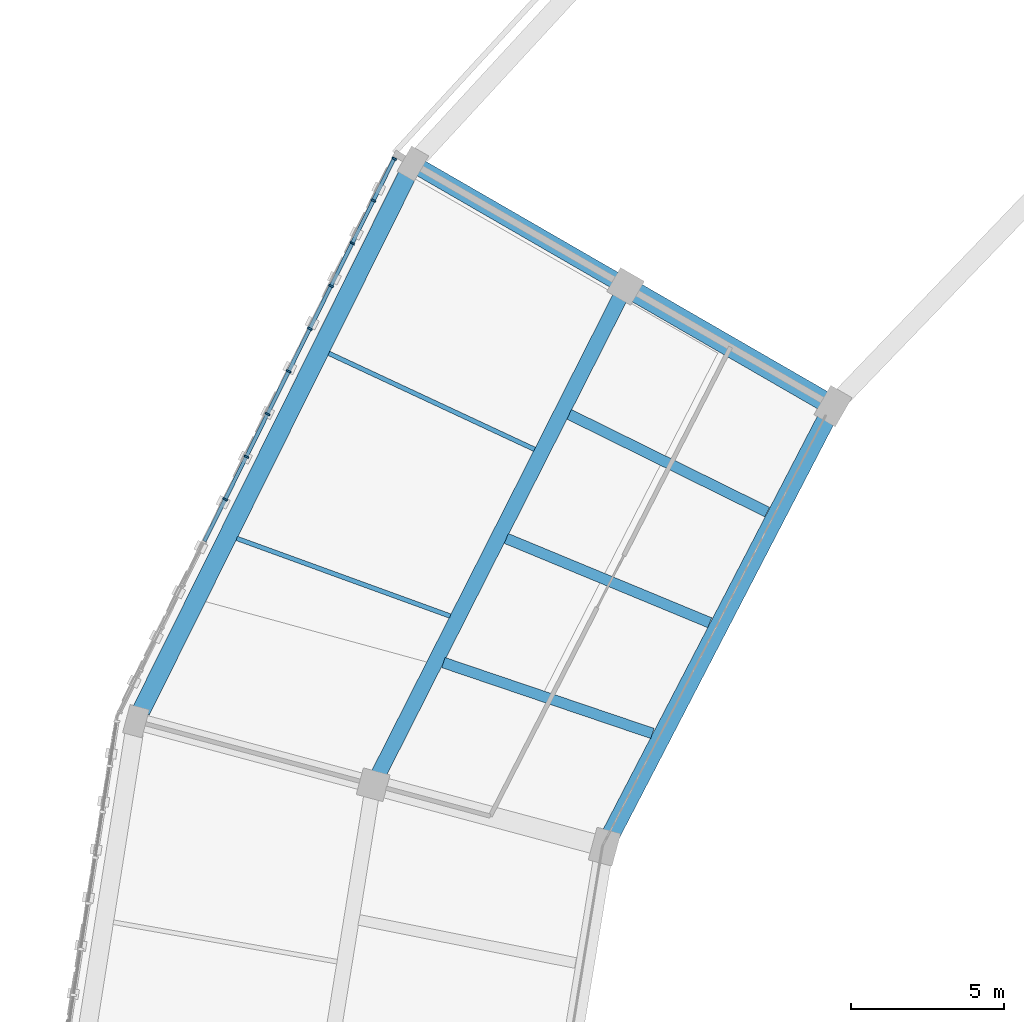
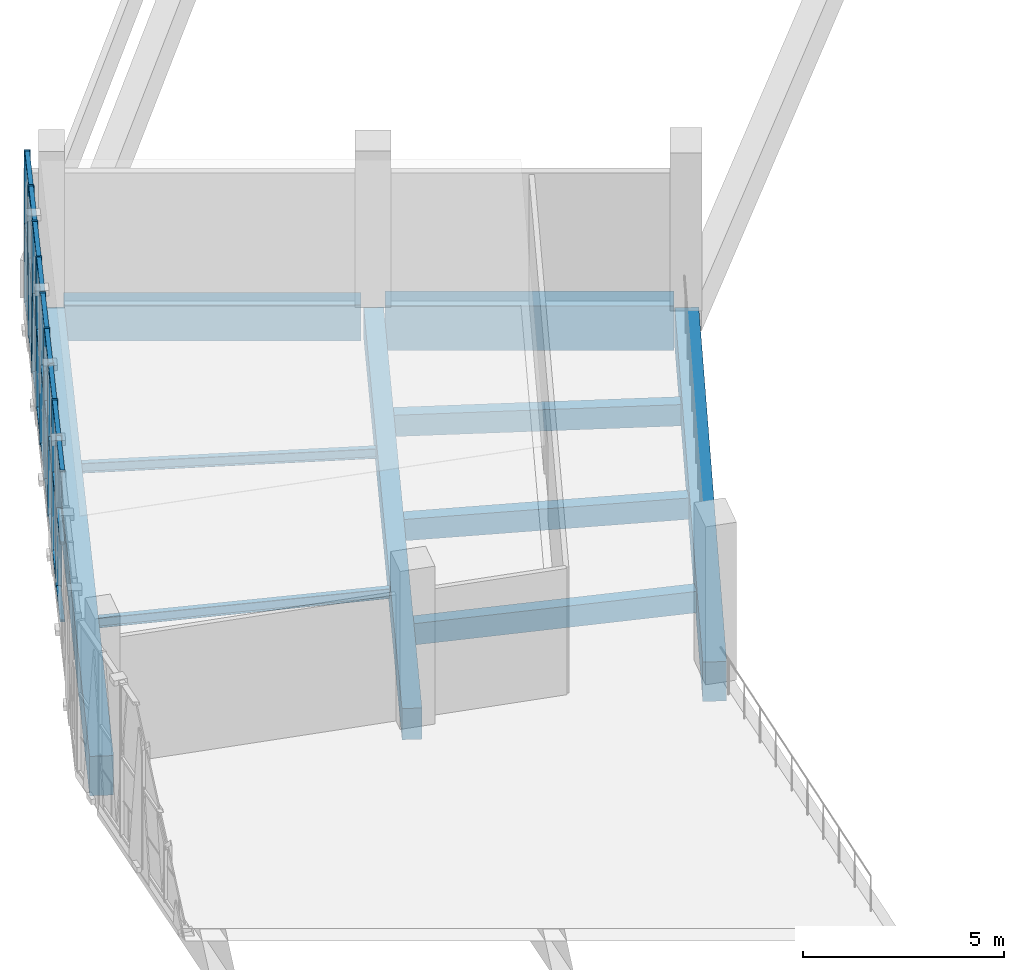
# One storey, part 14 of 64: 36 members, 10 beams, 1 element without a shape of its own.
"""IFC4 building model written with IfcOpenShell, lengths in metres."""

from ifc_helpers import new_model, si_unit, direction, frame, origin, origin_2d, place, context, subcontext, project, spatial, rectangle, i_section, extrude, material, material_profile, profile_set, type_object, element, aggregate, save


model = new_model("IFC4")

# Units and contexts
model_context = context("Model", 3, precision=1e-05, world=origin(), true_north=direction((0.0, 1.0)))
body_context = subcontext(model_context, "Body", "Model", "MODEL_VIEW")
ifc_project = project(units=[si_unit("LENGTHUNIT", "METRE"), si_unit("AREAUNIT", "SQUARE_METRE"), si_unit("VOLUMEUNIT", "CUBIC_METRE"), si_unit("PLANEANGLEUNIT", "RADIAN"), si_unit("MASSUNIT", "GRAM", prefix="KILO")], contexts=[model_context])

# Site, building, storey
site_placement = place(None, origin())
site = spatial("IfcSite", under=ifc_project, at=site_placement, CompositionType="ELEMENT")
building_placement = place(site_placement, origin())
building = spatial("IfcBuilding", under=site, at=building_placement, Name="Zevraka Park Crest Stadium", CompositionType="ELEMENT")
storey_placement = place(building_placement, frame((0.0, 0.0, 24.60009765625)))
storey = spatial("IfcBuildingStorey", under=building, at=storey_placement, Name="L05", CompositionType="ELEMENT", Elevation=24.60009765625)

# Beams
ifc_material_1 = material(Name="Concrete C40/50", Category="concrete")
ifc_material_profile_1 = material_profile(ifc_material_1, rectangle(XDim=0.64990234375, YDim=1.35009765625, at=origin_2d()), Name="RC 1350x650")
ifc_profile_set_1 = profile_set([ifc_material_profile_1], Name="Concrete C40/50")
beam_type_1 = type_object("IfcBeamType", Name="BG01", PredefinedType="BEAM", material=ifc_profile_set_1)
beam_1_placement = place(storey_placement, frame((47.220947265625, 121.89990234375, -0.68505859375), z_axis=(-0.866001485781, 0.500041424909, 0.0), x_axis=(-0.500041424909, -0.866001485781, 0.0)))
element("IfcBeam", 1, at=beam_1_placement, inside=storey, type_object=beam_type_1, Name="Radial Girder BG01 L05-BC-10", PredefinedType="BEAM", context=body_context, shape_type="SweptSolid", body=[
    extrude(rectangle(XDim=0.64990234375, YDim=1.35009765625, at=origin_2d()), origin(), (0.0, 0.0, 1.0), 7.19970703125),
])
ifc_material_2 = material(Name="Concrete C40/50", Category="concrete")
ifc_material_profile_2 = material_profile(ifc_material_2, rectangle(XDim=0.550048828125, YDim=1.10009765625, at=origin_2d()), Name="RC 1100x550")
ifc_profile_set_2 = profile_set([ifc_material_profile_2], Name="Concrete C40/50")
beam_type_2 = type_object("IfcBeamType", Name="BG02", PredefinedType="BEAM", material=ifc_profile_set_2)
beam_2_placement = place(storey_placement, frame((40.466064453125, 125.800048828125, -0.56005859375), z_axis=(-0.86600700885, 0.500031859608, 0.0), x_axis=(-0.500031859608, -0.86600700885, 0.0)))
element("IfcBeam", 2, at=beam_2_placement, inside=storey, type_object=beam_type_2, Name="Radial Girder BG02 L05-CD-10", PredefinedType="BEAM", context=body_context, shape_type="SweptSolid", body=[
    extrude(rectangle(XDim=0.550048828125, YDim=1.10009765625, at=origin_2d()), origin(), (0.0, 0.0, 1.0), 7.3994140625),
])

# Curtain wall, members
ifc_material_3 = material(Name="Anodised architectural aluminium and laminated safety glass", Category="aluminium")
curtain_wall_type = type_object("IfcCurtainWallType", Name="CW22", PredefinedType="NOTDEFINED", material=ifc_material_3)
curtain_wall_placement = place(storey_placement, origin())
curtain_wall = element("IfcCurtainWall", 3, at=curtain_wall_placement, inside=storey, type_object=curtain_wall_type, Name="Unitised Ring Curtain Wall CW22 L05-10", PredefinedType="NOTDEFINED")
ifc_material_4 = material(Name="Anodised architectural aluminium", Category="aluminium")
ifc_material_profile_3 = material_profile(ifc_material_4, rectangle(XDim=0.159912109375, YDim=0.06005859375, at=origin_2d()), Name="ALU MULLION 160x60")
ifc_profile_set_3 = profile_set([ifc_material_profile_3], Name="Anodised architectural aluminium")
member_type_1 = type_object("IfcMemberType", Name="CM01", PredefinedType="MULLION", material=ifc_profile_set_3)
member_1_placement = place(storey_placement, frame((33.187744140625, 129.81201171875, 0.0), z_axis=(0.0, 0.0, 1.0), x_axis=(0.895879320455, -0.444297471499, 0.0)))
member_1 = element("IfcMember", 4, at=member_1_placement, type_object=member_type_1, Name="CW22 mullion 1", PredefinedType="MULLION", context=body_context, shape_type="SweptSolid", body=[
    extrude(rectangle(XDim=0.159912109375, YDim=0.06005859375, at=origin_2d()), origin(), (0.0, 0.0, 1.0), 4.619873046875),
])
member_2_placement = place(storey_placement, frame((32.51123046875, 128.4482421875, 0.0), z_axis=(0.0, 0.0, 1.0), x_axis=(0.895879320455, -0.444297471499, 0.0)))
member_2 = element("IfcMember", 5, at=member_2_placement, type_object=member_type_1, Name="CW22 mullion 2", PredefinedType="MULLION", context=body_context, shape_type="SweptSolid", body=[
    extrude(rectangle(XDim=0.159912109375, YDim=0.06005859375, at=origin_2d()), origin(), (0.0, 0.0, 1.0), 4.619873046875),
])
member_3_placement = place(storey_placement, frame((31.821533203125, 127.0576171875, 0.0), z_axis=(0.0, 0.0, 1.0), x_axis=(0.895879320455, -0.444297471499, 0.0)))
member_3 = element("IfcMember", 6, at=member_3_placement, type_object=member_type_1, Name="CW22 mullion 3", PredefinedType="MULLION", context=body_context, shape_type="SweptSolid", body=[
    extrude(rectangle(XDim=0.159912109375, YDim=0.06005859375, at=origin_2d()), origin(), (0.0, 0.0, 1.0), 4.619873046875),
])
member_4_placement = place(storey_placement, frame((31.1318359375, 125.6669921875, 0.0), z_axis=(0.0, 0.0, 1.0), x_axis=(0.895879320455, -0.444297471499, 0.0)))
member_4 = element("IfcMember", 7, at=member_4_placement, type_object=member_type_1, Name="CW22 mullion 4", PredefinedType="MULLION", context=body_context, shape_type="SweptSolid", body=[
    extrude(rectangle(XDim=0.159912109375, YDim=0.06005859375, at=origin_2d()), origin(), (0.0, 0.0, 1.0), 4.619873046875),
])
member_5_placement = place(storey_placement, frame((30.442138671875, 124.276123046875, 0.0), z_axis=(0.0, 0.0, 1.0), x_axis=(0.895879320455, -0.444297471499, 0.0)))
member_5 = element("IfcMember", 8, at=member_5_placement, type_object=member_type_1, Name="CW22 mullion 5", PredefinedType="MULLION", context=body_context, shape_type="SweptSolid", body=[
    extrude(rectangle(XDim=0.159912109375, YDim=0.06005859375, at=origin_2d()), origin(), (0.0, 0.0, 1.0), 4.619873046875),
])
member_6_placement = place(storey_placement, frame((29.75244140625, 122.885498046875, 0.0), z_axis=(0.0, 0.0, 1.0), x_axis=(0.895879320455, -0.444297471499, 0.0)))
member_6 = element("IfcMember", 9, at=member_6_placement, type_object=member_type_1, Name="CW22 mullion 6", PredefinedType="MULLION", context=body_context, shape_type="SweptSolid", body=[
    extrude(rectangle(XDim=0.159912109375, YDim=0.06005859375, at=origin_2d()), origin(), (0.0, 0.0, 1.0), 4.619873046875),
])
member_7_placement = place(storey_placement, frame((29.062744140625, 121.494873046875, 0.0), z_axis=(0.0, 0.0, 1.0), x_axis=(0.895879320455, -0.444297471499, 0.0)))
member_7 = element("IfcMember", 10, at=member_7_placement, type_object=member_type_1, Name="CW22 mullion 7", PredefinedType="MULLION", context=body_context, shape_type="SweptSolid", body=[
    extrude(rectangle(XDim=0.159912109375, YDim=0.06005859375, at=origin_2d()), origin(), (0.0, 0.0, 1.0), 4.619873046875),
])
member_8_placement = place(storey_placement, frame((28.373046875, 120.104248046875, 0.0), z_axis=(0.0, 0.0, 1.0), x_axis=(0.895879320455, -0.444297471499, 0.0)))
member_8 = element("IfcMember", 11, at=member_8_placement, type_object=member_type_1, Name="CW22 mullion 8", PredefinedType="MULLION", context=body_context, shape_type="SweptSolid", body=[
    extrude(rectangle(XDim=0.159912109375, YDim=0.06005859375, at=origin_2d()), origin(), (0.0, 0.0, 1.0), 4.619873046875),
])
member_9_placement = place(storey_placement, frame((27.683349609375, 118.71337890625, 0.0), z_axis=(0.0, 0.0, 1.0), x_axis=(0.895879320455, -0.444297471499, 0.0)))
member_9 = element("IfcMember", 12, at=member_9_placement, type_object=member_type_1, Name="CW22 mullion 9", PredefinedType="MULLION", context=body_context, shape_type="SweptSolid", body=[
    extrude(rectangle(XDim=0.159912109375, YDim=0.06005859375, at=origin_2d()), origin(), (0.0, 0.0, 1.0), 4.619873046875),
])
ifc_material_5 = material(Name="Anodised architectural aluminium", Category="aluminium")
ifc_material_profile_4 = material_profile(ifc_material_5, rectangle(XDim=0.1201171875, YDim=0.06005859375, at=origin_2d()), Name="ALU TRANSOM 120x60")
ifc_profile_set_4 = profile_set([ifc_material_profile_4], Name="Anodised architectural aluminium")
member_type_2 = type_object("IfcMemberType", Name="CT01", PredefinedType="USERDEFINED", material=ifc_profile_set_4)
member_10_placement = place(storey_placement, frame((33.17431640625, 129.78515625, 0.02978515625), z_axis=(-0.444272737826, -0.895891586312, 0.0), x_axis=(0.895891586312, -0.444272737826, 0.0)))
member_10 = element("IfcMember", 13, at=member_10_placement, type_object=member_type_2, Name="CW22 transom 1.1", ObjectType="TRANSOM", PredefinedType="USERDEFINED", context=body_context, shape_type="SweptSolid", body=[
    extrude(rectangle(XDim=0.1201171875, YDim=0.06005859375, at=origin_2d()), origin(), (0.0, 0.0, 1.0), 1.46240234375),
])
member_11_placement = place(storey_placement, frame((33.17431640625, 129.78515625, 2.39990234375), z_axis=(-0.444272737826, -0.895891586312, 0.0), x_axis=(0.895891586312, -0.444272737826, 0.0)))
member_11 = element("IfcMember", 14, at=member_11_placement, type_object=member_type_2, Name="CW22 transom 1.2", ObjectType="TRANSOM", PredefinedType="USERDEFINED", context=body_context, shape_type="SweptSolid", body=[
    extrude(rectangle(XDim=0.1201171875, YDim=0.06005859375, at=origin_2d()), origin(), (0.0, 0.0, 1.0), 1.46240234375),
])
member_12_placement = place(storey_placement, frame((33.17431640625, 129.78515625, 4.58984375), z_axis=(-0.444272737826, -0.895891586312, 0.0), x_axis=(0.895891586312, -0.444272737826, 0.0)))
member_12 = element("IfcMember", 15, at=member_12_placement, type_object=member_type_2, Name="CW22 transom 1.3", ObjectType="TRANSOM", PredefinedType="USERDEFINED", context=body_context, shape_type="SweptSolid", body=[
    extrude(rectangle(XDim=0.1201171875, YDim=0.06005859375, at=origin_2d()), origin(), (0.0, 0.0, 1.0), 1.46240234375),
])
member_13_placement = place(storey_placement, frame((32.498046875, 128.42138671875, 0.02978515625), z_axis=(-0.444331954809, -0.895862218165, 0.0), x_axis=(0.895862218165, -0.444331954809, 0.0)))
member_13 = element("IfcMember", 16, at=member_13_placement, type_object=member_type_2, Name="CW22 transom 2.1", ObjectType="TRANSOM", PredefinedType="USERDEFINED", context=body_context, shape_type="SweptSolid", body=[
    extrude(rectangle(XDim=0.1201171875, YDim=0.06005859375, at=origin_2d()), origin(), (0.0, 0.0, 1.0), 1.492431640625),
])
member_14_placement = place(storey_placement, frame((32.498046875, 128.42138671875, 2.39990234375), z_axis=(-0.444331954809, -0.895862218165, 0.0), x_axis=(0.895862218165, -0.444331954809, 0.0)))
member_14 = element("IfcMember", 17, at=member_14_placement, type_object=member_type_2, Name="CW22 transom 2.2", ObjectType="TRANSOM", PredefinedType="USERDEFINED", context=body_context, shape_type="SweptSolid", body=[
    extrude(rectangle(XDim=0.1201171875, YDim=0.06005859375, at=origin_2d()), origin(), (0.0, 0.0, 1.0), 1.492431640625),
])
member_15_placement = place(storey_placement, frame((32.498046875, 128.42138671875, 4.58984375), z_axis=(-0.444331954809, -0.895862218165, 0.0), x_axis=(0.895862218165, -0.444331954809, 0.0)))
member_15 = element("IfcMember", 18, at=member_15_placement, type_object=member_type_2, Name="CW22 transom 2.3", ObjectType="TRANSOM", PredefinedType="USERDEFINED", context=body_context, shape_type="SweptSolid", body=[
    extrude(rectangle(XDim=0.1201171875, YDim=0.06005859375, at=origin_2d()), origin(), (0.0, 0.0, 1.0), 1.492431640625),
])
member_16_placement = place(storey_placement, frame((31.808349609375, 127.03076171875, 0.02978515625), z_axis=(-0.444331954809, -0.895862218165, 0.0), x_axis=(0.895862218165, -0.444331954809, 0.0)))
member_16 = element("IfcMember", 19, at=member_16_placement, type_object=member_type_2, Name="CW22 transom 3.1", ObjectType="TRANSOM", PredefinedType="USERDEFINED", context=body_context, shape_type="SweptSolid", body=[
    extrude(rectangle(XDim=0.1201171875, YDim=0.06005859375, at=origin_2d()), origin(), (0.0, 0.0, 1.0), 1.492431640625),
])
member_17_placement = place(storey_placement, frame((31.808349609375, 127.03076171875, 2.39990234375), z_axis=(-0.444331954809, -0.895862218165, 0.0), x_axis=(0.895862218165, -0.444331954809, 0.0)))
member_17 = element("IfcMember", 20, at=member_17_placement, type_object=member_type_2, Name="CW22 transom 3.2", ObjectType="TRANSOM", PredefinedType="USERDEFINED", context=body_context, shape_type="SweptSolid", body=[
    extrude(rectangle(XDim=0.1201171875, YDim=0.06005859375, at=origin_2d()), origin(), (0.0, 0.0, 1.0), 1.492431640625),
])
member_18_placement = place(storey_placement, frame((31.808349609375, 127.03076171875, 4.58984375), z_axis=(-0.444331954809, -0.895862218165, 0.0), x_axis=(0.895862218165, -0.444331954809, 0.0)))
member_18 = element("IfcMember", 21, at=member_18_placement, type_object=member_type_2, Name="CW22 transom 3.3", ObjectType="TRANSOM", PredefinedType="USERDEFINED", context=body_context, shape_type="SweptSolid", body=[
    extrude(rectangle(XDim=0.1201171875, YDim=0.06005859375, at=origin_2d()), origin(), (0.0, 0.0, 1.0), 1.492431640625),
])
member_19_placement = place(storey_placement, frame((31.11865234375, 125.64013671875, 0.02978515625), z_axis=(-0.444331954809, -0.895862218165, 0.0), x_axis=(0.895862218165, -0.444331954809, 0.0)))
member_19 = element("IfcMember", 22, at=member_19_placement, type_object=member_type_2, Name="CW22 transom 4.1", ObjectType="TRANSOM", PredefinedType="USERDEFINED", context=body_context, shape_type="SweptSolid", body=[
    extrude(rectangle(XDim=0.1201171875, YDim=0.06005859375, at=origin_2d()), origin(), (0.0, 0.0, 1.0), 1.492431640625),
])
member_20_placement = place(storey_placement, frame((31.11865234375, 125.64013671875, 2.39990234375), z_axis=(-0.444331954809, -0.895862218165, 0.0), x_axis=(0.895862218165, -0.444331954809, 0.0)))
member_20 = element("IfcMember", 23, at=member_20_placement, type_object=member_type_2, Name="CW22 transom 4.2", ObjectType="TRANSOM", PredefinedType="USERDEFINED", context=body_context, shape_type="SweptSolid", body=[
    extrude(rectangle(XDim=0.1201171875, YDim=0.06005859375, at=origin_2d()), origin(), (0.0, 0.0, 1.0), 1.492431640625),
])
member_21_placement = place(storey_placement, frame((31.11865234375, 125.64013671875, 4.58984375), z_axis=(-0.444331954809, -0.895862218165, 0.0), x_axis=(0.895862218165, -0.444331954809, 0.0)))
member_21 = element("IfcMember", 24, at=member_21_placement, type_object=member_type_2, Name="CW22 transom 4.3", ObjectType="TRANSOM", PredefinedType="USERDEFINED", context=body_context, shape_type="SweptSolid", body=[
    extrude(rectangle(XDim=0.1201171875, YDim=0.06005859375, at=origin_2d()), origin(), (0.0, 0.0, 1.0), 1.492431640625),
])
member_22_placement = place(storey_placement, frame((30.428955078125, 124.249267578125, 0.02978515625), z_axis=(-0.444331954809, -0.895862218165, 0.0), x_axis=(0.895862218165, -0.444331954809, 0.0)))
member_22 = element("IfcMember", 25, at=member_22_placement, type_object=member_type_2, Name="CW22 transom 5.1", ObjectType="TRANSOM", PredefinedType="USERDEFINED", context=body_context, shape_type="SweptSolid", body=[
    extrude(rectangle(XDim=0.1201171875, YDim=0.06005859375, at=origin_2d()), origin(), (0.0, 0.0, 1.0), 1.492431640625),
])
member_23_placement = place(storey_placement, frame((30.428955078125, 124.249267578125, 2.39990234375), z_axis=(-0.444331954809, -0.895862218165, 0.0), x_axis=(0.895862218165, -0.444331954809, 0.0)))
member_23 = element("IfcMember", 26, at=member_23_placement, type_object=member_type_2, Name="CW22 transom 5.2", ObjectType="TRANSOM", PredefinedType="USERDEFINED", context=body_context, shape_type="SweptSolid", body=[
    extrude(rectangle(XDim=0.1201171875, YDim=0.06005859375, at=origin_2d()), origin(), (0.0, 0.0, 1.0), 1.492431640625),
])
member_24_placement = place(storey_placement, frame((30.428955078125, 124.249267578125, 4.58984375), z_axis=(-0.444331954809, -0.895862218165, 0.0), x_axis=(0.895862218165, -0.444331954809, 0.0)))
member_24 = element("IfcMember", 27, at=member_24_placement, type_object=member_type_2, Name="CW22 transom 5.3", ObjectType="TRANSOM", PredefinedType="USERDEFINED", context=body_context, shape_type="SweptSolid", body=[
    extrude(rectangle(XDim=0.1201171875, YDim=0.06005859375, at=origin_2d()), origin(), (0.0, 0.0, 1.0), 1.492431640625),
])
member_25_placement = place(storey_placement, frame((29.7392578125, 122.858642578125, 0.02978515625), z_axis=(-0.444331954809, -0.895862218165, 0.0), x_axis=(0.895862218165, -0.444331954809, 0.0)))
member_25 = element("IfcMember", 28, at=member_25_placement, type_object=member_type_2, Name="CW22 transom 6.1", ObjectType="TRANSOM", PredefinedType="USERDEFINED", context=body_context, shape_type="SweptSolid", body=[
    extrude(rectangle(XDim=0.1201171875, YDim=0.06005859375, at=origin_2d()), origin(), (0.0, 0.0, 1.0), 1.492431640625),
])
member_26_placement = place(storey_placement, frame((29.7392578125, 122.858642578125, 2.39990234375), z_axis=(-0.444331954809, -0.895862218165, 0.0), x_axis=(0.895862218165, -0.444331954809, 0.0)))
member_26 = element("IfcMember", 29, at=member_26_placement, type_object=member_type_2, Name="CW22 transom 6.2", ObjectType="TRANSOM", PredefinedType="USERDEFINED", context=body_context, shape_type="SweptSolid", body=[
    extrude(rectangle(XDim=0.1201171875, YDim=0.06005859375, at=origin_2d()), origin(), (0.0, 0.0, 1.0), 1.492431640625),
])
member_27_placement = place(storey_placement, frame((29.7392578125, 122.858642578125, 4.58984375), z_axis=(-0.444331954809, -0.895862218165, 0.0), x_axis=(0.895862218165, -0.444331954809, 0.0)))
member_27 = element("IfcMember", 30, at=member_27_placement, type_object=member_type_2, Name="CW22 transom 6.3", ObjectType="TRANSOM", PredefinedType="USERDEFINED", context=body_context, shape_type="SweptSolid", body=[
    extrude(rectangle(XDim=0.1201171875, YDim=0.06005859375, at=origin_2d()), origin(), (0.0, 0.0, 1.0), 1.492431640625),
])
member_28_placement = place(storey_placement, frame((29.049560546875, 121.468017578125, 0.02978515625), z_axis=(-0.444331954809, -0.895862218165, 0.0), x_axis=(0.895862218165, -0.444331954809, 0.0)))
member_28 = element("IfcMember", 31, at=member_28_placement, type_object=member_type_2, Name="CW22 transom 7.1", ObjectType="TRANSOM", PredefinedType="USERDEFINED", context=body_context, shape_type="SweptSolid", body=[
    extrude(rectangle(XDim=0.1201171875, YDim=0.06005859375, at=origin_2d()), origin(), (0.0, 0.0, 1.0), 1.492431640625),
])
member_29_placement = place(storey_placement, frame((29.049560546875, 121.468017578125, 2.39990234375), z_axis=(-0.444331954809, -0.895862218165, 0.0), x_axis=(0.895862218165, -0.444331954809, 0.0)))
member_29 = element("IfcMember", 32, at=member_29_placement, type_object=member_type_2, Name="CW22 transom 7.2", ObjectType="TRANSOM", PredefinedType="USERDEFINED", context=body_context, shape_type="SweptSolid", body=[
    extrude(rectangle(XDim=0.1201171875, YDim=0.06005859375, at=origin_2d()), origin(), (0.0, 0.0, 1.0), 1.492431640625),
])
member_30_placement = place(storey_placement, frame((29.049560546875, 121.468017578125, 4.58984375), z_axis=(-0.444331954809, -0.895862218165, 0.0), x_axis=(0.895862218165, -0.444331954809, 0.0)))
member_30 = element("IfcMember", 33, at=member_30_placement, type_object=member_type_2, Name="CW22 transom 7.3", ObjectType="TRANSOM", PredefinedType="USERDEFINED", context=body_context, shape_type="SweptSolid", body=[
    extrude(rectangle(XDim=0.1201171875, YDim=0.06005859375, at=origin_2d()), origin(), (0.0, 0.0, 1.0), 1.492431640625),
])
member_31_placement = place(storey_placement, frame((28.35986328125, 120.077392578125, 0.02978515625), z_axis=(-0.444266841356, -0.895894510348, 0.0), x_axis=(0.895894510348, -0.444266841356, 0.0)))
member_31 = element("IfcMember", 34, at=member_31_placement, type_object=member_type_2, Name="CW22 transom 8.1", ObjectType="TRANSOM", PredefinedType="USERDEFINED", context=body_context, shape_type="SweptSolid", body=[
    extrude(rectangle(XDim=0.1201171875, YDim=0.06005859375, at=origin_2d()), origin(), (0.0, 0.0, 1.0), 1.492431640625),
])
member_32_placement = place(storey_placement, frame((28.35986328125, 120.077392578125, 2.39990234375), z_axis=(-0.444266841356, -0.895894510348, 0.0), x_axis=(0.895894510348, -0.444266841356, 0.0)))
member_32 = element("IfcMember", 35, at=member_32_placement, type_object=member_type_2, Name="CW22 transom 8.2", ObjectType="TRANSOM", PredefinedType="USERDEFINED", context=body_context, shape_type="SweptSolid", body=[
    extrude(rectangle(XDim=0.1201171875, YDim=0.06005859375, at=origin_2d()), origin(), (0.0, 0.0, 1.0), 1.492431640625),
])
member_33_placement = place(storey_placement, frame((28.35986328125, 120.077392578125, 4.58984375), z_axis=(-0.444266841356, -0.895894510348, 0.0), x_axis=(0.895894510348, -0.444266841356, 0.0)))
member_33 = element("IfcMember", 36, at=member_33_placement, type_object=member_type_2, Name="CW22 transom 8.3", ObjectType="TRANSOM", PredefinedType="USERDEFINED", context=body_context, shape_type="SweptSolid", body=[
    extrude(rectangle(XDim=0.1201171875, YDim=0.06005859375, at=origin_2d()), origin(), (0.0, 0.0, 1.0), 1.492431640625),
])
member_34_placement = place(storey_placement, frame((27.670166015625, 118.6865234375, 0.02978515625), z_axis=(-0.444331954809, -0.895862218165, 0.0), x_axis=(0.895862218165, -0.444331954809, 0.0)))
member_34 = element("IfcMember", 37, at=member_34_placement, type_object=member_type_2, Name="CW22 transom 9.1", ObjectType="TRANSOM", PredefinedType="USERDEFINED", context=body_context, shape_type="SweptSolid", body=[
    extrude(rectangle(XDim=0.1201171875, YDim=0.06005859375, at=origin_2d()), origin(), (0.0, 0.0, 1.0), 1.492431640625),
])
member_35_placement = place(storey_placement, frame((27.670166015625, 118.6865234375, 2.39990234375), z_axis=(-0.444331954809, -0.895862218165, 0.0), x_axis=(0.895862218165, -0.444331954809, 0.0)))
member_35 = element("IfcMember", 38, at=member_35_placement, type_object=member_type_2, Name="CW22 transom 9.2", ObjectType="TRANSOM", PredefinedType="USERDEFINED", context=body_context, shape_type="SweptSolid", body=[
    extrude(rectangle(XDim=0.1201171875, YDim=0.06005859375, at=origin_2d()), origin(), (0.0, 0.0, 1.0), 1.492431640625),
])
member_36_placement = place(storey_placement, frame((27.670166015625, 118.6865234375, 4.58984375), z_axis=(-0.444331954809, -0.895862218165, 0.0), x_axis=(0.895862218165, -0.444331954809, 0.0)))
member_36 = element("IfcMember", 39, at=member_36_placement, type_object=member_type_2, Name="CW22 transom 9.3", ObjectType="TRANSOM", PredefinedType="USERDEFINED", context=body_context, shape_type="SweptSolid", body=[
    extrude(rectangle(XDim=0.1201171875, YDim=0.06005859375, at=origin_2d()), origin(), (0.0, 0.0, 1.0), 1.492431640625),
])
aggregate(curtain_wall, [member_1, member_2, member_3, member_4, member_5, member_6, member_7, member_8, member_9, member_10, member_11, member_12, member_13, member_14, member_15, member_16, member_17, member_18, member_19, member_20, member_21, member_22, member_23, member_24, member_25, member_26, member_27, member_28, member_29, member_30, member_31, member_32, member_33, member_34, member_35, member_36])

# Beams
ifc_material_6 = material(Name="Concrete C40/50", Category="concrete")
ifc_material_profile_5 = material_profile(ifc_material_6, rectangle(XDim=0.60009765625, YDim=1.199951171875, at=origin_2d()), Name="RC 1200x600")
ifc_profile_set_5 = profile_set([ifc_material_profile_5], Name="Concrete C40/50")
beam_type_3 = type_object("IfcBeamType", Name="RB01", PredefinedType="BEAM", material=ifc_profile_set_5)
beam_3_placement = place(storey_placement, frame((47.305908203125, 121.4130859375, -0.610107421875), z_axis=(-0.460343993973, -0.887740619333, 0.0), x_axis=(0.887740619333, -0.460343993973, 0.0)))
element("IfcBeam", 40, at=beam_3_placement, inside=storey, type_object=beam_type_3, Name="Ring Beam RB01 L05-B-10", PredefinedType="BEAM", context=body_context, shape_type="SweptSolid", body=[
    extrude(rectangle(XDim=0.60009765625, YDim=1.199951171875, at=origin_2d()), origin(), (0.0, 0.0, 1.0), 15.405517578125),
])
beam_4_placement = place(storey_placement, frame((33.62890625, 129.31005859375, -0.610107421875), z_axis=(-0.444850507814, -0.895604837916, 0.0), x_axis=(0.895604837916, -0.444850507814, 0.0)))
element("IfcBeam", 41, at=beam_4_placement, inside=storey, type_object=beam_type_3, Name="Ring Beam RB01 L05-D-10", PredefinedType="BEAM", context=body_context, shape_type="SweptSolid", body=[
    extrude(rectangle(XDim=0.60009765625, YDim=1.199951171875, at=origin_2d()), origin(), (0.0, 0.0, 1.0), 19.5185546875),
])
ifc_material_7 = material(Name="Concrete C40/50", Category="concrete")
ifc_material_profile_6 = material_profile(ifc_material_7, rectangle(XDim=0.5, YDim=0.949951171875, at=origin_2d()), Name="RC 950x500")
ifc_profile_set_6 = profile_set([ifc_material_profile_6], Name="Concrete C40/50")
beam_type_4 = type_object("IfcBeamType", Name="RB02", PredefinedType="BEAM", material=ifc_profile_set_6)
beam_5_placement = place(storey_placement, frame((40.553955078125, 125.31103515625, -0.485107421875), z_axis=(-0.451862275442, -0.892087710953, 0.0), x_axis=(0.892087710953, -0.451862275442, 0.0)))
element("IfcBeam", 42, at=beam_5_placement, inside=storey, type_object=beam_type_4, Name="Ring Beam RB02 L05-C-10", PredefinedType="BEAM", context=body_context, shape_type="SweptSolid", body=[
    extrude(rectangle(XDim=0.5, YDim=0.949951171875, at=origin_2d()), origin(), (0.0, 0.0, 1.0), 17.434326171875),
])
ifc_material_8 = material(Name="Steel S355", Category="steel")
ifc_material_profile_7 = material_profile(ifc_material_8, i_section(OverallWidth=0.14990234375, OverallDepth=0.300048828125, WebThickness=0.007080078125, FlangeThickness=0.0107421875, at=origin_2d()), Name="IPE 300")
ifc_profile_set_7 = profile_set([ifc_material_profile_7], Name="Steel S355")
beam_type_5 = type_object("IfcBeamType", Name="SJ01", PredefinedType="JOIST", material=ifc_profile_set_7)
beam_6_placement = place(storey_placement, frame((37.762939453125, 120.343017578125, -0.418212890625), z_axis=(-0.906183982971, 0.42288365895, 0.0), x_axis=(-0.42288365895, -0.906183982971, 0.0)))
element("IfcBeam", 43, at=beam_6_placement, inside=storey, type_object=beam_type_5, Name="Floor Joist SJ01 L05-CD-10-1", PredefinedType="JOIST", context=body_context, shape_type="SweptSolid", body=[
    extrude(i_section(OverallWidth=0.14990234375, OverallDepth=0.300048828125, WebThickness=0.007080078125, FlangeThickness=0.0107421875, at=origin_2d()), origin(), (0.0, 0.0, 1.0), 7.39892578125),
])
beam_7_placement = place(storey_placement, frame((35.013916015625, 114.9130859375, -0.418212890625), z_axis=(-0.939772225385, 0.341801352243, 0.0), x_axis=(-0.341801352243, -0.939772225385, 0.0)))
element("IfcBeam", 44, at=beam_7_placement, inside=storey, type_object=beam_type_5, Name="Floor Joist SJ01 L05-CD-10-2", PredefinedType="JOIST", context=body_context, shape_type="SweptSolid", body=[
    extrude(i_section(OverallWidth=0.14990234375, OverallDepth=0.300048828125, WebThickness=0.007080078125, FlangeThickness=0.0107421875, at=origin_2d()), origin(), (0.0, 0.0, 1.0), 7.3984375),
])
ifc_material_9 = material(Name="Concrete C40/50", Category="concrete")
ifc_material_profile_8 = material_profile(ifc_material_9, rectangle(XDim=0.35009765625, YDim=0.64990234375, at=origin_2d()), Name="RC 650x350")
ifc_profile_set_8 = profile_set([ifc_material_profile_8], Name="Concrete C40/50")
beam_type_6 = type_object("IfcBeamType", Name="SJ06", PredefinedType="JOIST", material=ifc_profile_set_8)
beam_8_placement = place(storey_placement, frame((45.337890625, 118.302001953125, -0.593017578125), z_axis=(-0.89675774001, 0.442521813849, 0.0), x_axis=(-0.442521813849, -0.89675774001, 0.0)))
element("IfcBeam", 45, at=beam_8_placement, inside=storey, type_object=beam_type_6, Name="Floor Joist SJ06 L05-BC-10-1", PredefinedType="JOIST", context=body_context, shape_type="SweptSolid", body=[
    extrude(rectangle(XDim=0.35009765625, YDim=0.64990234375, at=origin_2d()), origin(), (0.0, 0.0, 1.0), 7.1904296875),
])
beam_9_placement = place(storey_placement, frame((43.468994140625, 114.696044921875, -0.593017578125), z_axis=(-0.923904434651, 0.382623307749, 0.0), x_axis=(-0.382623307749, -0.923904434651, 0.0)))
element("IfcBeam", 46, at=beam_9_placement, inside=storey, type_object=beam_type_6, Name="Floor Joist SJ06 L05-BC-10-2", PredefinedType="JOIST", context=body_context, shape_type="SweptSolid", body=[
    extrude(rectangle(XDim=0.35009765625, YDim=0.64990234375, at=origin_2d()), origin(), (0.0, 0.0, 1.0), 7.173828125),
])
beam_10_placement = place(storey_placement, frame((41.60107421875, 111.089111328125, -0.593017578125), z_axis=(-0.947037352852, 0.321123422227, 0.0), x_axis=(-0.321123422227, -0.947037352852, 0.0)))
element("IfcBeam", 47, at=beam_10_placement, inside=storey, type_object=beam_type_6, Name="Floor Joist SJ06 L05-BC-10-3", PredefinedType="JOIST", context=body_context, shape_type="SweptSolid", body=[
    extrude(rectangle(XDim=0.35009765625, YDim=0.64990234375, at=origin_2d()), origin(), (0.0, 0.0, 1.0), 7.18994140625),
])

save(model, "model.ifc")
